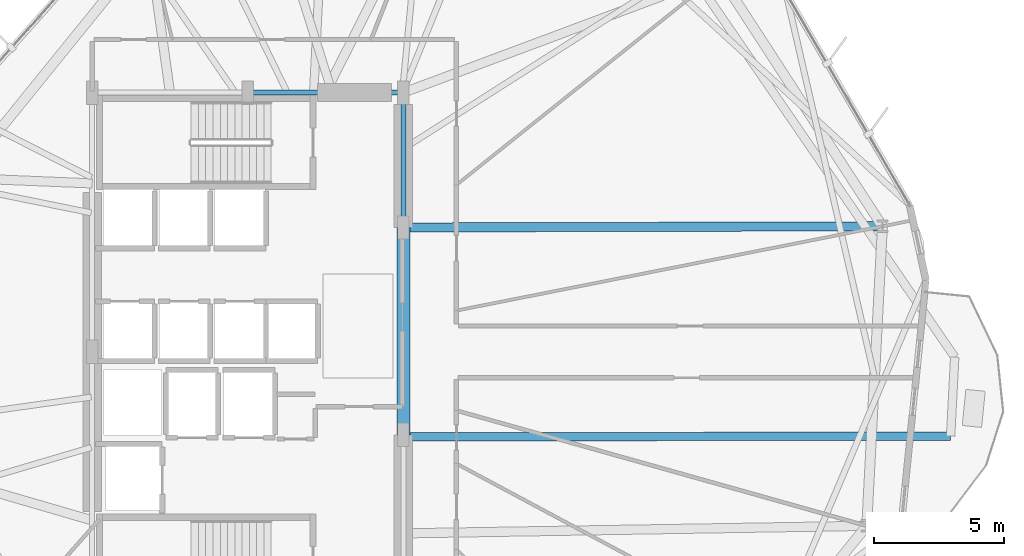
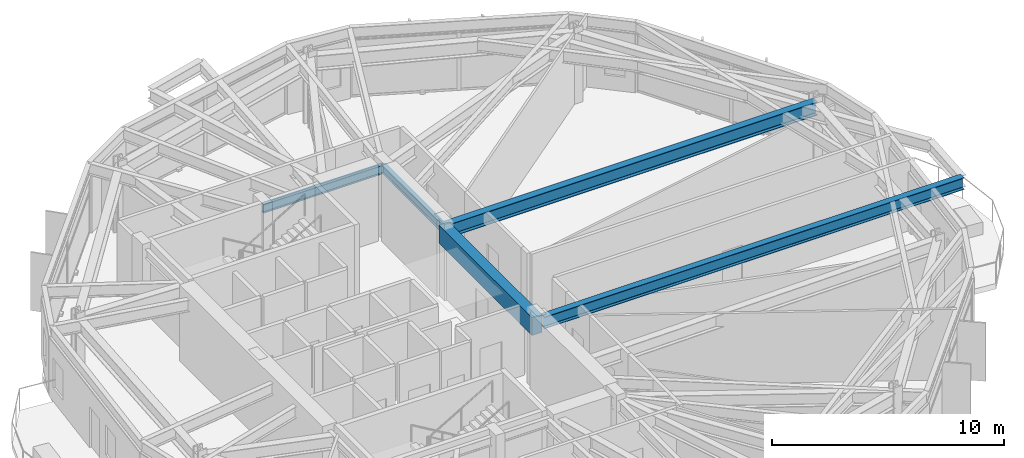
# One storey, part 7 of 22: 5 beams.
"""IFC4 building model written with IfcOpenShell, lengths in metres."""

from ifc_helpers import new_model, si_unit, direction, frame, origin, origin_2d, place, context, subcontext, project, spatial, rectangle, i_section, extrude, material, material_profile, profile_set, type_object, element, save


model = new_model("IFC4")

# Units and contexts
model_context = context("Model", 3, precision=1e-05, world=origin(), true_north=direction((0.0, 1.0)))
body_context = subcontext(model_context, "Body", "Model", "MODEL_VIEW")
ifc_project = project(units=[si_unit("LENGTHUNIT", "METRE"), si_unit("AREAUNIT", "SQUARE_METRE"), si_unit("VOLUMEUNIT", "CUBIC_METRE"), si_unit("PLANEANGLEUNIT", "RADIAN"), si_unit("MASSUNIT", "GRAM", prefix="KILO")], contexts=[model_context])

# Site, building, storey
site_placement = place(None, origin())
site = spatial("IfcSite", under=ifc_project, at=site_placement, CompositionType="ELEMENT")
building_placement = place(site_placement, origin())
building = spatial("IfcBuilding", under=site, at=building_placement, Name="Soratama Intermodal Tower", CompositionType="ELEMENT")
storey_placement = place(building_placement, frame((0.0, 0.0, 74.60009765625)))
storey = spatial("IfcBuildingStorey", under=building, at=storey_placement, Name="L17", CompositionType="ELEMENT", Elevation=74.60009765625)

# Beams
ifc_material_1 = material(Name="Structural steel ASTM A992 Grade 50", Category="steel")
ifc_material_profile_1 = material_profile(ifc_material_1, i_section(OverallWidth=0.324951171875, OverallDepth=0.615966796875, WebThickness=0.013916015625, FlangeThickness=0.021484375, FilletRadius=0.013916015625, at=origin_2d()), Name="W24X117")
ifc_profile_set_1 = profile_set([ifc_material_profile_1], Name="Structural steel ASTM A992 Grade 50")
beam_type_1 = type_object("IfcBeamType", Name="BM-CANT-W24X117", PredefinedType="BEAM", material=ifc_profile_set_1)
beam_1_placement = place(storey_placement, frame((44.8349609375, 21.719970703125, 3.391845703125), z_axis=(0.999998678873, 0.001625500706, 0.0), x_axis=(-0.001625500706, 0.999998678873, 0.0)))
element("IfcBeam", 1, at=beam_1_placement, inside=storey, type_object=beam_type_1, Name="BM-L17-CANT-1-1", PredefinedType="BEAM", context=body_context, shape_type="SweptSolid", body=[
    extrude(i_section(OverallWidth=0.324951171875, OverallDepth=0.615966796875, WebThickness=0.013916015625, FlangeThickness=0.021484375, FilletRadius=0.013916015625, at=origin_2d()), origin(), (0.0, 0.0, 1.0), 20.876953125),
])
ifc_material_2 = material(Name="Concrete f'c 56 MPa", Category="concrete")
ifc_material_profile_2 = material_profile(ifc_material_2, rectangle(XDim=0.5, YDim=0.949951171875, at=origin_2d()), Name="RC500X950")
ifc_profile_set_2 = profile_set([ifc_material_profile_2], Name="Concrete f'c 56 MPa")
beam_type_2 = type_object("IfcBeamType", Name="BM-CPL-RC500X950", PredefinedType="BEAM", material=ifc_profile_set_2)
beam_2_placement = place(storey_placement, frame((44.60009765625, 21.800048828125, 3.224853515625), z_axis=(0.0, 1.0, 0.0), x_axis=(-1.0, 0.0, 0.0)))
element("IfcBeam", 2, at=beam_2_placement, inside=storey, type_object=beam_type_2, Name="L17 Core Coupling Beam East", PredefinedType="BEAM", context=body_context, shape_type="SweptSolid", body=[
    extrude(rectangle(XDim=0.5, YDim=0.949951171875, at=origin_2d()), origin(), (0.0, 0.0, 1.0), 8.0),
])
ifc_material_3 = material(Name="Structural steel ASTM A992 Grade 50", Category="steel")
ifc_material_profile_3 = material_profile(ifc_material_3, i_section(OverallWidth=0.19091796875, OverallDepth=0.4599609375, WebThickness=0.010009765625, FlangeThickness=0.01611328125, FilletRadius=0.010986328125, at=origin_2d()), Name="W18X55")
ifc_profile_set_3 = profile_set([ifc_material_profile_3], Name="Structural steel ASTM A992 Grade 50")
beam_type_3 = type_object("IfcBeamType", Name="BM-FLR-W18X55", PredefinedType="BEAM", material=ifc_profile_set_3)
beam_3_placement = place(storey_placement, frame((44.60009765625, 29.800048828125, 3.469970703125), z_axis=(0.0, 1.0, 0.0), x_axis=(-1.0, 0.0, 0.0)))
element("IfcBeam", 3, at=beam_3_placement, inside=storey, type_object=beam_type_3, Name="BM-L17-CRING-05", PredefinedType="BEAM", context=body_context, shape_type="SweptSolid", body=[
    extrude(i_section(OverallWidth=0.19091796875, OverallDepth=0.4599609375, WebThickness=0.010009765625, FlangeThickness=0.01611328125, FilletRadius=0.010986328125, at=origin_2d()), origin(), (0.0, 0.0, 1.0), 5.199951171875),
])
beam_4_placement = place(storey_placement, frame((44.60009765625, 35.0, 3.469970703125), z_axis=(-1.0, 0.0, 0.0), x_axis=(0.0, -1.0, 0.0)))
element("IfcBeam", 4, at=beam_4_placement, inside=storey, type_object=beam_type_3, Name="BM-L17-CRING-06", PredefinedType="BEAM", context=body_context, shape_type="SweptSolid", body=[
    extrude(i_section(OverallWidth=0.19091796875, OverallDepth=0.4599609375, WebThickness=0.010009765625, FlangeThickness=0.01611328125, FilletRadius=0.010986328125, at=origin_2d()), origin(), (0.0, 0.0, 1.0), 6.0),
])
ifc_material_4 = material(Name="Structural steel ASTM A992 Grade 50", Category="steel")
ifc_material_profile_4 = material_profile(ifc_material_4, i_section(OverallWidth=0.35498046875, OverallDepth=0.695068359375, WebThickness=0.015380859375, FlangeThickness=0.02490234375, FilletRadius=0.01611328125, at=origin_2d()), Name="W27X146")
ifc_profile_set_4 = profile_set([ifc_material_profile_4], Name="Structural steel ASTM A992 Grade 50")
beam_type_4 = type_object("IfcBeamType", Name="BM-RING-W27X146", PredefinedType="BEAM", material=ifc_profile_set_4)
beam_5_placement = place(storey_placement, frame((44.60009765625, 29.800048828125, 3.352294921875), z_axis=(0.999997046146, 0.002430575896, 0.0), x_axis=(-0.002430575896, 0.999997046146, 0.0)))
element("IfcBeam", 5, at=beam_5_placement, inside=storey, type_object=beam_type_4, Name="BM-L17-RAD-01", PredefinedType="BEAM", context=body_context, shape_type="SweptSolid", body=[
    extrude(i_section(OverallWidth=0.35498046875, OverallDepth=0.695068359375, WebThickness=0.015380859375, FlangeThickness=0.02490234375, FilletRadius=0.01611328125, at=origin_2d()), origin(), (0.0, 0.0, 1.0), 18.48193359375),
])

save(model, "model.ifc")
